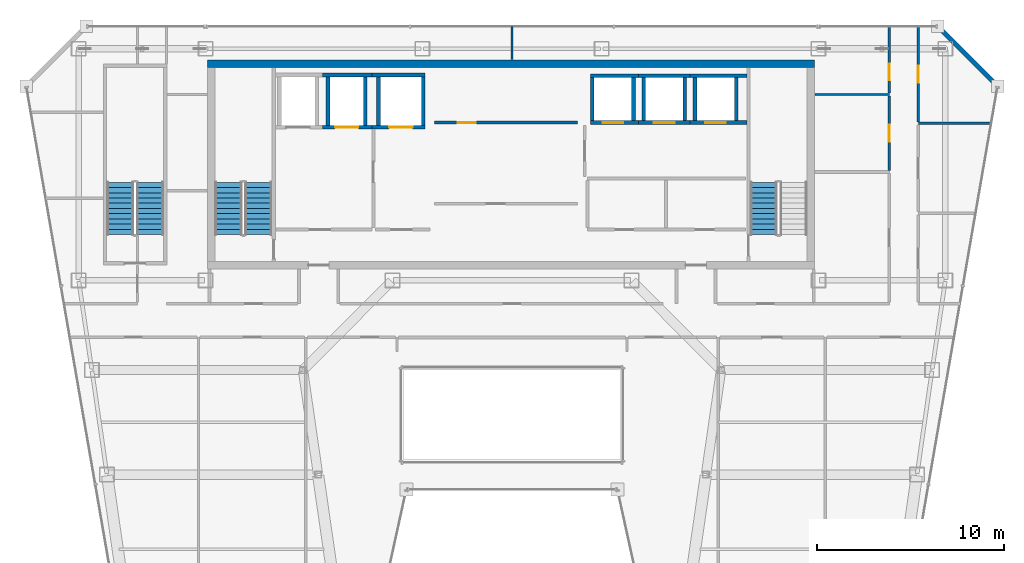
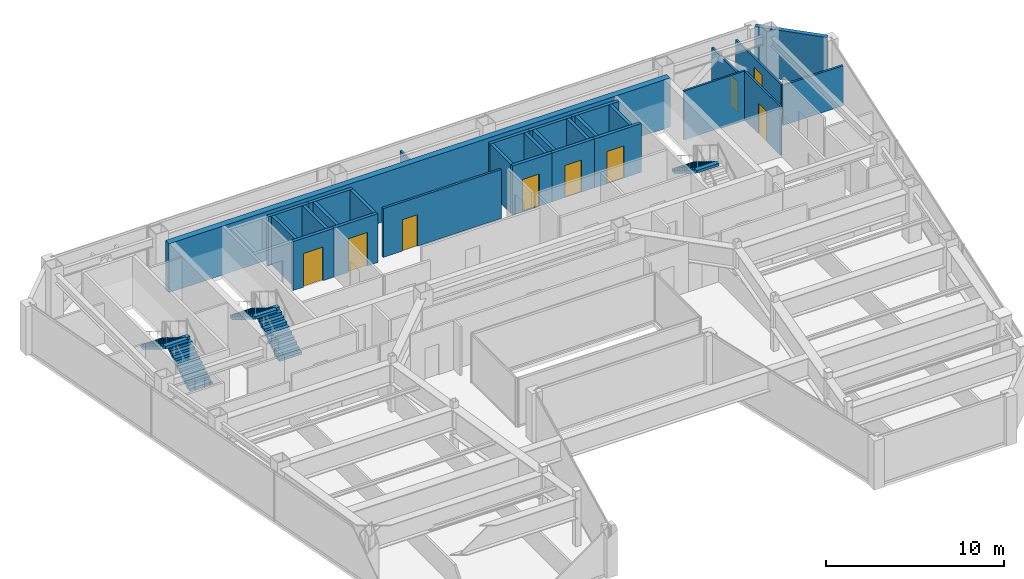
# One storey, part 30 of 35: 29 walls, 9 doors, 5 stair flights, 9 openings, 3 elements without a shape of their own.
"""IFC4 building model written with IfcOpenShell, lengths in metres."""

from ifc_helpers import new_model, si_unit, direction, frame, frame_2d, origin, place, context, subcontext, project, spatial, polyline, rectangle, outline, extrude, material, layer, layer_set, type_object, element, fill, aggregate, save


model = new_model("IFC4")

# Units and contexts
model_context = context("Model", 3, precision=1e-05, world=origin(), true_north=direction((0.0, 1.0)))
body_context = subcontext(model_context, "Body", "Model", "MODEL_VIEW")
ifc_project = project(units=[si_unit("LENGTHUNIT", "METRE"), si_unit("AREAUNIT", "SQUARE_METRE"), si_unit("VOLUMEUNIT", "CUBIC_METRE"), si_unit("PLANEANGLEUNIT", "RADIAN"), si_unit("MASSUNIT", "GRAM", prefix="KILO")], contexts=[model_context])

# Site, building, storey
site_placement = place(None, origin())
site = spatial("IfcSite", under=ifc_project, at=site_placement, CompositionType="ELEMENT")
building_placement = place(site_placement, origin())
building = spatial("IfcBuilding", under=site, at=building_placement, Name="Saevonmaru Cultural Tower", CompositionType="ELEMENT")
storey_placement = place(building_placement, frame((0.0, 0.0, 249.60009765625)))
storey = spatial("IfcBuildingStorey", under=building, at=storey_placement, Name="L58", CompositionType="ELEMENT", Elevation=249.60009765625)

# Wall
ifc_material_1 = material(Name="Concrete C50/60", Category="concrete")
ifc_layer_1 = layer(ifc_material_1, 0.39990234375, Name="Concrete C50/60")
ifc_layer_set_1 = layer_set([ifc_layer_1], Name="Concrete C50/60")
wall_type_1 = type_object("IfcWallType", Name="WL-CORE-400", PredefinedType="SHEAR", material=ifc_layer_set_1)
wall_1_placement = place(storey_placement, frame((13.699951171875, 54.0, 0.0), z_axis=(0.0, 0.0, 1.0), x_axis=(1.0, 0.0, 0.0)))
element("IfcWall", 1, at=wall_1_placement, inside=storey, type_object=wall_type_1, Name="L58 Tower RC core shear wall N", PredefinedType="SHEAR", context=body_context, shape_type="SweptSolid", body=[
    extrude(rectangle(XDim=32.5, YDim=0.39990234375, at=frame_2d((16.25, 0.0))), origin(), (0.0, 0.0, 1.0), 3.349853515625),
])

# Wall, opening, door
ifc_material_2 = material(Name="Gypsum Fireboard Partition", Category="gypsum")
ifc_layer_2 = layer(ifc_material_2, 0.14990234375, Name="Gypsum Fireboard Partition")
ifc_layer_set_2 = layer_set([ifc_layer_2], Name="Gypsum Fireboard Partition")
wall_type_2 = type_object("IfcWallType", Name="WL-CORE-PART-150", PredefinedType="PARTITIONING", material=ifc_layer_set_2)
wall_2_placement = place(storey_placement, frame((25.85009765625, 50.85009765625, 0.0), z_axis=(0.0, 0.0, 1.0), x_axis=(1.0, 0.0, 0.0)))
wall_2 = element("IfcWall", 2, at=wall_2_placement, inside=storey, type_object=wall_type_2, Name="L58 Reclaimed Core Room South Wall", PredefinedType="PARTITIONING", context=body_context, shape_type="SweptSolid", body=[
    extrude(rectangle(XDim=7.64990234375, YDim=0.14990234375, at=frame_2d((3.824951171875, 0.0))), origin(), (0.0, 0.0, 1.0), 3.349853515625),
])
opening_1_placement = place(wall_2_placement, frame((1.25, 0.0, 0.0)))
opening_1 = element("IfcOpeningElement", 3, at=opening_1_placement, cuts=wall_2, Name="Opening FD-4", PredefinedType="OPENING", context=body_context, shape_type="SweptSolid", body=[
    extrude(rectangle(XDim=0.949951171875, YDim=2.14990234375, at=frame_2d((0.47509765625, 1.074951171875))), frame((0.0, 0.0849609375, 0.0), z_axis=(0.0, -1.0, 0.0), x_axis=(1.0, 0.0, 0.0)), (0.0, 0.0, 1.0), 0.169921875),
])
ifc_material_3 = material(Name="Satin Bronze Anodised Aluminium", Category="aluminium")
door_type_1 = type_object("IfcDoorType", Name="DR-FD60-950", OperationType="SINGLE_SWING_LEFT", PredefinedType="DOOR", material=ifc_material_3)
door_1_placement = place(opening_1_placement, origin())
door_1 = element("IfcDoor", 4, at=door_1_placement, inside=storey, type_object=door_type_1, Name="L58 Reclaimed Archive Vault Door", OperationType="SINGLE_SWING_LEFT", OverallHeight=2.14990234375, OverallWidth=0.949951171875, PredefinedType="DOOR", context=body_context, shape_type="SweptSolid", body=[
    extrude(rectangle(XDim=0.949951171875, YDim=2.14990234375, at=frame_2d((0.47509765625, 1.074951171875))), frame((0.0, 0.02490234375, 0.0), z_axis=(0.0, -1.0, 0.0), x_axis=(1.0, 0.0, 0.0)), (0.0, 0.0, 1.0), 0.050048828125),
])
fill(opening_1, door_1)

# Walls
ifc_material_4 = material(Name="Granite-Clad Precast Concrete C40/50", Category="masonry")
ifc_layer_3 = layer(ifc_material_4, 0.260009765625, Name="Granite-Clad Precast Concrete C40/50")
ifc_layer_set_3 = layer_set([ifc_layer_3], Name="Granite-Clad Precast Concrete C40/50")
wall_type_3 = type_object("IfcWallType", Name="WL-EXT-SPANDREL-260", PredefinedType="STANDARD", material=ifc_layer_set_3)
wall_3_placement = place(storey_placement, frame((55.886962890625, 52.9130859375, 0.0), z_axis=(0.0, 0.0, 1.0), x_axis=(-0.707106781187, 0.707106781187, 0.0)))
element("IfcWall", 5, at=wall_3_placement, inside=storey, type_object=wall_type_3, Name="L58 Chamfer Corner Spandrel Wall E9", PredefinedType="STANDARD", context=body_context, shape_type="SweptSolid", body=[
    extrude(rectangle(XDim=4.205810546875, YDim=0.260009765625, at=frame_2d((2.10302734375, 0.0))), origin(), (0.0, 0.0, 1.0), 3.349853515625),
])
ifc_layer_4 = layer(ifc_material_2, 0.1201171875, Name="Gypsum Fireboard Partition")
ifc_layer_set_4 = layer_set([ifc_layer_4], Name="Gypsum Fireboard Partition")
wall_type_4 = type_object("IfcWallType", Name="WL-PART-GYP-120", PredefinedType="PARTITIONING", material=ifc_layer_set_4)
wall_4_placement = place(storey_placement, frame((46.219970703125, 52.35009765625, 0.0), z_axis=(0.0, 0.0, 1.0), x_axis=(1.0, 0.0, 0.0)))
element("IfcWall", 6, at=wall_4_placement, inside=storey, type_object=wall_type_4, Name="L58 North-East Panorama South Wall", PredefinedType="PARTITIONING", context=body_context, shape_type="SweptSolid", body=[
    extrude(rectangle(XDim=3.97998046875, YDim=0.1201171875, at=frame_2d((1.989990234375, 0.0))), origin(), (0.0, 0.0, 1.0), 3.349853515625),
])
wall_5_placement = place(storey_placement, frame((30.0, 54.219970703125, 0.0), z_axis=(0.0, 0.0, 1.0), x_axis=(0.0, 1.0, 0.0)))
element("IfcWall", 7, at=wall_5_placement, inside=storey, type_object=wall_type_4, Name="L58 North Panorama Center Split", PredefinedType="PARTITIONING", context=body_context, shape_type="SweptSolid", body=[
    extrude(rectangle(XDim=1.775146484375, YDim=0.1201171875, at=frame_2d((0.8876953125, 0.0))), origin(), (0.0, 0.0, 1.0), 2.73486328125),
])

# Wall, opening, door
wall_6_placement = place(storey_placement, frame((50.199951171875, 48.2900390625, 0.0), z_axis=(0.0, 0.0, 1.0), x_axis=(0.0, 1.0, 0.0)))
wall_6 = element("IfcWall", 8, at=wall_6_placement, inside=storey, type_object=wall_type_4, Name="L58 Urban Design Meeting Room Corridor Wall", PredefinedType="PARTITIONING", context=body_context, shape_type="SweptSolid", body=[
    extrude(rectangle(XDim=3.97998046875, YDim=0.1201171875, at=frame_2d((1.989990234375, 0.0))), origin(), (0.0, 0.0, 1.0), 3.349853515625),
])
opening_2_placement = place(wall_6_placement, frame((1.5400390625, 0.0, 0.0)))
opening_2 = element("IfcOpeningElement", 9, at=opening_2_placement, cuts=wall_6, Name="Opening ID-2", PredefinedType="OPENING", context=body_context, shape_type="SweptSolid", body=[
    extrude(rectangle(XDim=0.89990234375, YDim=2.10009765625, at=frame_2d((0.449951171875, 1.050048828125))), frame((0.0, 0.070068359375, 0.0), z_axis=(0.0, -1.0, 0.0), x_axis=(1.0, 0.0, 0.0)), (0.0, 0.0, 1.0), 0.14013671875),
])
ifc_material_5 = material(Name="Acoustic Stained Oak Timber", Category="wood")
door_type_2 = type_object("IfcDoorType", Name="DR-INT-900", OperationType="SINGLE_SWING_RIGHT", PredefinedType="DOOR", material=ifc_material_5)
door_2_placement = place(opening_2_placement, origin())
door_2 = element("IfcDoor", 10, at=door_2_placement, inside=storey, type_object=door_type_2, Name="L58 Urban Design Meeting Room Door", OperationType="SINGLE_SWING_LEFT", OverallHeight=2.10009765625, OverallWidth=0.89990234375, PredefinedType="DOOR", context=body_context, shape_type="SweptSolid", body=[
    extrude(rectangle(XDim=0.89990234375, YDim=2.10009765625, at=frame_2d((0.449951171875, 1.050048828125))), frame((0.0, 0.02490234375, 0.0), z_axis=(0.0, -1.0, 0.0), x_axis=(1.0, 0.0, 0.0)), (0.0, 0.0, 1.0), 0.050048828125),
])
fill(opening_2, door_2)

wall_7_placement = place(storey_placement, frame((50.199951171875, 52.429931640625, 0.0), z_axis=(0.0, 0.0, 1.0), x_axis=(0.0, 1.0, 0.0)))
wall_7 = element("IfcWall", 11, at=wall_7_placement, inside=storey, type_object=wall_type_4, Name="L58 Curatorial Board Meeting Room Corridor Wall", PredefinedType="PARTITIONING", context=body_context, shape_type="SweptSolid", body=[
    extrude(rectangle(XDim=3.565185546875, YDim=0.1201171875, at=frame_2d((1.78271484375, 0.0))), origin(), (0.0, 0.0, 1.0), 2.73486328125),
])
opening_3_placement = place(wall_7_placement, frame((0.672119140625, 0.0, 0.0)))
opening_3 = element("IfcOpeningElement", 12, at=opening_3_placement, cuts=wall_7, Name="Opening ID-2", PredefinedType="OPENING", context=body_context, shape_type="SweptSolid", body=[
    extrude(rectangle(XDim=0.89990234375, YDim=2.10009765625, at=frame_2d((0.449951171875, 1.050048828125))), frame((0.0, 0.070068359375, 0.0), z_axis=(0.0, -1.0, 0.0), x_axis=(1.0, 0.0, 0.0)), (0.0, 0.0, 1.0), 0.14013671875),
])
door_3_placement = place(opening_3_placement, origin())
door_3 = element("IfcDoor", 13, at=door_3_placement, inside=storey, type_object=door_type_2, Name="L58 Curatorial Board Meeting Room Door", OperationType="SINGLE_SWING_RIGHT", OverallHeight=2.10009765625, OverallWidth=0.89990234375, PredefinedType="DOOR", context=body_context, shape_type="SweptSolid", body=[
    extrude(rectangle(XDim=0.89990234375, YDim=2.10009765625, at=frame_2d((0.449951171875, 1.050048828125))), frame((0.0, 0.02490234375, 0.0), z_axis=(0.0, -1.0, 0.0), x_axis=(1.0, 0.0, 0.0)), (0.0, 0.0, 1.0), 0.050048828125),
])
fill(opening_3, door_3)

wall_8_placement = place(storey_placement, frame((51.75, 50.887451171875, 0.0), z_axis=(0.0, 0.0, 1.0), x_axis=(0.0, 1.0, 0.0)))
wall_8 = element("IfcWall", 14, at=wall_8_placement, inside=storey, type_object=wall_type_4, Name="L58 Translation Research Office Corridor Wall", PredefinedType="PARTITIONING", context=body_context, shape_type="SweptSolid", body=[
    extrude(rectangle(XDim=5.107666015625, YDim=0.1201171875, at=frame_2d((2.5537109375, 0.0))), origin(), (0.0, 0.0, 1.0), 2.73486328125),
])
opening_4_placement = place(wall_8_placement, frame((2.10400390625, 0.0, 0.0)))
opening_4 = element("IfcOpeningElement", 15, at=opening_4_placement, cuts=wall_8, Name="Opening ID-2", PredefinedType="OPENING", context=body_context, shape_type="SweptSolid", body=[
    extrude(rectangle(XDim=0.89990234375, YDim=2.10009765625, at=frame_2d((0.449951171875, 1.050048828125))), frame((0.0, 0.070068359375, 0.0), z_axis=(0.0, -1.0, 0.0), x_axis=(1.0, 0.0, 0.0)), (0.0, 0.0, 1.0), 0.14013671875),
])
door_4_placement = place(opening_4_placement, origin())
door_4 = element("IfcDoor", 16, at=door_4_placement, inside=storey, type_object=door_type_2, Name="L58 Translation Research Office Door", OperationType="SINGLE_SWING_RIGHT", OverallHeight=2.10009765625, OverallWidth=0.89990234375, PredefinedType="DOOR", context=body_context, shape_type="SweptSolid", body=[
    extrude(rectangle(XDim=0.89990234375, YDim=2.10009765625, at=frame_2d((0.449951171875, 1.050048828125))), frame((0.0, 0.02490234375, 0.0), z_axis=(0.0, -1.0, 0.0), x_axis=(1.0, 0.0, 0.0)), (0.0, 0.0, 1.0), 0.050048828125),
])
fill(opening_4, door_4)

# Wall
ifc_layer_5 = layer(ifc_material_2, 0.135009765625, Name="Gypsum Fireboard Partition")
ifc_layer_set_5 = layer_set([ifc_layer_5], Name="Gypsum Fireboard Partition")
wall_type_5 = type_object("IfcWallType", Name="WL-PART-GYP-135", PredefinedType="PARTITIONING", material=ifc_layer_set_5)
wall_9_placement = place(storey_placement, frame((51.75, 50.800048828125, 0.0), z_axis=(0.0, 0.0, 1.0), x_axis=(1.0, 0.0, 0.0)))
element("IfcWall", 17, at=wall_9_placement, inside=storey, type_object=wall_type_5, Name="L58 NE Studio Divider 2", PredefinedType="PARTITIONING", context=body_context, shape_type="SweptSolid", body=[
    extrude(rectangle(XDim=3.898193359375, YDim=0.135009765625, at=frame_2d((1.94921875, 0.0))), origin(), (0.0, 0.0, 1.0), 2.746826171875),
])

# Wall, opening, door
ifc_material_6 = material(Name="Concrete C40/50", Category="concrete")
ifc_layer_6 = layer(ifc_material_6, 0.199951171875, Name="Concrete C40/50")
ifc_layer_set_6 = layer_set([ifc_layer_6], Name="Concrete C40/50")
wall_type_6 = type_object("IfcWallType", Name="WL-SHAFT-200", PredefinedType="SHEAR", material=ifc_layer_set_6)
wall_10_placement = place(storey_placement, frame((19.85009765625, 50.60009765625, 0.0), z_axis=(0.0, 0.0, 1.0), x_axis=(1.0, 0.0, 0.0)))
wall_10 = element("IfcWall", 18, at=wall_10_placement, inside=storey, type_object=wall_type_6, Name="L58 Lift FFL-2 Hoistway Wall S", PredefinedType="SHEAR", context=body_context, shape_type="SweptSolid", body=[
    extrude(rectangle(XDim=2.64990234375, YDim=0.199951171875, at=frame_2d((1.324951171875, 0.0))), origin(), (0.0, 0.0, 1.0), 3.349853515625),
])
opening_5_placement = place(wall_10_placement, frame((0.675048828125, 0.0, 0.0)))
opening_5 = element("IfcOpeningElement", 19, at=opening_5_placement, cuts=wall_10, Name="Opening LD-2", PredefinedType="OPENING", context=body_context, shape_type="SweptSolid", body=[
    extrude(rectangle(XDim=1.25, YDim=2.300048828125, at=frame_2d((0.625, 1.14990234375))), frame((0.0, 0.10986328125, 0.0), z_axis=(0.0, -1.0, 0.0), x_axis=(1.0, 0.0, 0.0)), (0.0, 0.0, 1.0), 0.219970703125),
])
ifc_material_7 = material(Name="Stainless Steel 316", Category="steel")
door_type_3 = type_object("IfcDoorType", Name="DR-LIFT-1250", OperationType="SLIDING_TO_LEFT", PredefinedType="DOOR", material=ifc_material_7)
door_5_placement = place(opening_5_placement, origin())
door_5 = element("IfcDoor", 20, at=door_5_placement, inside=storey, type_object=door_type_3, Name="L58 Lift FFL-2 Sliding Landing Door", OperationType="SLIDING_TO_LEFT", OverallHeight=2.300048828125, OverallWidth=1.25, PredefinedType="DOOR", context=body_context, shape_type="SweptSolid", body=[
    extrude(rectangle(XDim=1.25, YDim=2.300048828125, at=frame_2d((0.625, 1.14990234375))), frame((0.0, 0.02490234375, 0.0), z_axis=(0.0, -1.0, 0.0), x_axis=(1.0, 0.0, 0.0)), (0.0, 0.0, 1.0), 0.050048828125),
])
fill(opening_5, door_5)

# Walls
wall_11_placement = place(storey_placement, frame((19.85009765625, 53.39990234375, 0.0), z_axis=(0.0, 0.0, 1.0), x_axis=(1.0, 0.0, 0.0)))
element("IfcWall", 21, at=wall_11_placement, inside=storey, type_object=wall_type_6, Name="L58 Lift FFL-2 Hoistway Wall N", PredefinedType="SHEAR", context=body_context, shape_type="SweptSolid", body=[
    extrude(rectangle(XDim=2.64990234375, YDim=0.199951171875, at=frame_2d((1.324951171875, 0.0))), origin(), (0.0, 0.0, 1.0), 3.349853515625),
])
for number, where, z_axis, x_axis, name in (
    (22, (20.14990234375, 50.699951171875, 0.0), (0.0, 0.0, 1.0), (0.0, 1.0, 0.0), "L58 Lift FFL-2 Hoistway Wall W"),
    (23, (22.14990234375, 50.699951171875, 0.0), (0.0, 0.0, 1.0), (0.0, 1.0, 0.0), "L58 Lift FFL-2 Hoistway Wall E"),
):
    element("IfcWall", number, at=place(storey_placement, frame(where, z_axis=z_axis, x_axis=x_axis)), inside=storey, type_object=wall_type_6, Name=name, PredefinedType="SHEAR", context=body_context, shape_type="SweptSolid", body=[
        extrude(rectangle(XDim=2.60009765625, YDim=0.199951171875, at=frame_2d((1.300048828125, 0.0))), origin(), (0.0, 0.0, 1.0), 3.349853515625),
    ])

# Wall, opening, door
wall_12_placement = place(storey_placement, frame((22.5, 50.60009765625, 0.0), z_axis=(0.0, 0.0, 1.0), x_axis=(1.0, 0.0, 0.0)))
wall_12 = element("IfcWall", 24, at=wall_12_placement, inside=storey, type_object=wall_type_6, Name="L58 Lift GL-1 Hoistway Wall S", PredefinedType="SHEAR", context=body_context, shape_type="SweptSolid", body=[
    extrude(rectangle(XDim=2.85009765625, YDim=0.199951171875, at=frame_2d((1.425048828125, 0.0))), origin(), (0.0, 0.0, 1.0), 3.349853515625),
])
opening_6_placement = place(wall_12_placement, frame((0.925048828125, 0.0, 0.0)))
opening_6 = element("IfcOpeningElement", 25, at=opening_6_placement, cuts=wall_12, Name="Opening LD-2", PredefinedType="OPENING", context=body_context, shape_type="SweptSolid", body=[
    extrude(rectangle(XDim=1.25, YDim=2.300048828125, at=frame_2d((0.625, 1.14990234375))), frame((0.0, 0.10986328125, 0.0), z_axis=(0.0, -1.0, 0.0), x_axis=(1.0, 0.0, 0.0)), (0.0, 0.0, 1.0), 0.219970703125),
])
door_6_placement = place(opening_6_placement, origin())
door_6 = element("IfcDoor", 26, at=door_6_placement, inside=storey, type_object=door_type_3, Name="L58 Lift GL-1 Sliding Landing Door", OperationType="SLIDING_TO_LEFT", OverallHeight=2.300048828125, OverallWidth=1.25, PredefinedType="DOOR", context=body_context, shape_type="SweptSolid", body=[
    extrude(rectangle(XDim=1.25, YDim=2.300048828125, at=frame_2d((0.625, 1.14990234375))), frame((0.0, 0.02490234375, 0.0), z_axis=(0.0, -1.0, 0.0), x_axis=(1.0, 0.0, 0.0)), (0.0, 0.0, 1.0), 0.050048828125),
])
fill(opening_6, door_6)

# Walls
wall_13_placement = place(storey_placement, frame((22.5, 53.39990234375, 0.0), z_axis=(0.0, 0.0, 1.0), x_axis=(1.0, 0.0, 0.0)))
element("IfcWall", 27, at=wall_13_placement, inside=storey, type_object=wall_type_6, Name="L58 Lift GL-1 Hoistway Wall N", PredefinedType="SHEAR", context=body_context, shape_type="SweptSolid", body=[
    extrude(rectangle(XDim=2.85009765625, YDim=0.199951171875, at=frame_2d((1.425048828125, 0.0))), origin(), (0.0, 0.0, 1.0), 3.349853515625),
])
for number, where, z_axis, x_axis, name in (
    (28, (22.85009765625, 50.699951171875, 0.0), (0.0, 0.0, 1.0), (0.0, 1.0, 0.0), "L58 Lift GL-1 Hoistway Wall W"),
    (29, (25.25, 50.699951171875, 0.0), (0.0, 0.0, 1.0), (0.0, 1.0, 0.0), "L58 Lift GL-1 Hoistway Wall E"),
):
    element("IfcWall", number, at=place(storey_placement, frame(where, z_axis=z_axis, x_axis=x_axis)), inside=storey, type_object=wall_type_6, Name=name, PredefinedType="SHEAR", context=body_context, shape_type="SweptSolid", body=[
        extrude(rectangle(XDim=2.60009765625, YDim=0.199951171875, at=frame_2d((1.300048828125, 0.0))), origin(), (0.0, 0.0, 1.0), 3.349853515625),
    ])

# Wall, opening, door
wall_14_placement = place(storey_placement, frame((34.199951171875, 50.85009765625, 0.0), z_axis=(0.0, 0.0, 1.0), x_axis=(1.0, 0.0, 0.0)))
wall_14 = element("IfcWall", 30, at=wall_14_placement, inside=storey, type_object=wall_type_6, Name="L58 Lift PL-H1 Hoistway Wall S", PredefinedType="SHEAR", context=body_context, shape_type="SweptSolid", body=[
    extrude(rectangle(XDim=2.574951171875, YDim=0.199951171875, at=frame_2d((1.28759765625, 0.0))), origin(), (0.0, 0.0, 1.0), 3.349853515625),
])
opening_7_placement = place(wall_14_placement, frame((0.64990234375, 0.0, 0.0)))
opening_7 = element("IfcOpeningElement", 31, at=opening_7_placement, cuts=wall_14, Name="Opening LD-1", PredefinedType="OPENING", context=body_context, shape_type="SweptSolid", body=[
    extrude(rectangle(XDim=1.10009765625, YDim=2.199951171875, at=frame_2d((0.550048828125, 1.10009765625))), frame((0.0, 0.10986328125, 0.0), z_axis=(0.0, -1.0, 0.0), x_axis=(1.0, 0.0, 0.0)), (0.0, 0.0, 1.0), 0.219970703125),
])
ifc_material_8 = material(Name="Satin Bronze Stainless Steel", Category="steel")
door_type_4 = type_object("IfcDoorType", Name="DR-LIFT-1100", OperationType="SLIDING_TO_LEFT", PredefinedType="DOOR", material=ifc_material_8)
door_7_placement = place(opening_7_placement, origin())
door_7 = element("IfcDoor", 32, at=door_7_placement, inside=storey, type_object=door_type_4, Name="L58 Lift PL-H1 Sliding Landing Door", OperationType="SLIDING_TO_LEFT", OverallHeight=2.199951171875, OverallWidth=1.10009765625, PredefinedType="DOOR", context=body_context, shape_type="SweptSolid", body=[
    extrude(rectangle(XDim=1.10009765625, YDim=2.199951171875, at=frame_2d((0.550048828125, 1.10009765625))), frame((0.0, 0.02490234375, 0.0), z_axis=(0.0, -1.0, 0.0), x_axis=(1.0, 0.0, 0.0)), (0.0, 0.0, 1.0), 0.050048828125),
])
fill(opening_7, door_7)

# Walls
wall_15_placement = place(storey_placement, frame((34.199951171875, 53.35009765625, 0.0), z_axis=(0.0, 0.0, 1.0), x_axis=(1.0, 0.0, 0.0)))
element("IfcWall", 33, at=wall_15_placement, inside=storey, type_object=wall_type_6, Name="L58 Lift PL-H1 Hoistway Wall N", PredefinedType="SHEAR", context=body_context, shape_type="SweptSolid", body=[
    extrude(rectangle(XDim=2.574951171875, YDim=0.199951171875, at=frame_2d((1.28759765625, 0.0))), origin(), (0.0, 0.0, 1.0), 3.349853515625),
])
for number, where, z_axis, x_axis, name in (
    (34, (34.300048828125, 50.949951171875, 0.0), (0.0, 0.0, 1.0), (0.0, 1.0, 0.0), "L58 Lift PL-H1 Hoistway Wall W"),
    (35, (36.5, 50.949951171875, 0.0), (0.0, 0.0, 1.0), (0.0, 1.0, 0.0), "L58 Lift PL-H1 Hoistway Wall E"),
):
    element("IfcWall", number, at=place(storey_placement, frame(where, z_axis=z_axis, x_axis=x_axis)), inside=storey, type_object=wall_type_6, Name=name, PredefinedType="SHEAR", context=body_context, shape_type="SweptSolid", body=[
        extrude(rectangle(XDim=2.300048828125, YDim=0.199951171875, at=frame_2d((1.14990234375, 0.0))), origin(), (0.0, 0.0, 1.0), 3.349853515625),
    ])

# Wall, opening, door
wall_16_placement = place(storey_placement, frame((36.77490234375, 50.85009765625, 0.0), z_axis=(0.0, 0.0, 1.0), x_axis=(1.0, 0.0, 0.0)))
wall_16 = element("IfcWall", 36, at=wall_16_placement, inside=storey, type_object=wall_type_6, Name="L58 Lift PL-H2 Hoistway Wall S", PredefinedType="SHEAR", context=body_context, shape_type="SweptSolid", body=[
    extrude(rectangle(XDim=2.75, YDim=0.199951171875, at=frame_2d((1.375, 0.0))), origin(), (0.0, 0.0, 1.0), 3.349853515625),
])
opening_8_placement = place(wall_16_placement, frame((0.824951171875, 0.0, 0.0)))
opening_8 = element("IfcOpeningElement", 37, at=opening_8_placement, cuts=wall_16, Name="Opening LD-1", PredefinedType="OPENING", context=body_context, shape_type="SweptSolid", body=[
    extrude(rectangle(XDim=1.10009765625, YDim=2.199951171875, at=frame_2d((0.550048828125, 1.10009765625))), frame((0.0, 0.10986328125, 0.0), z_axis=(0.0, -1.0, 0.0), x_axis=(1.0, 0.0, 0.0)), (0.0, 0.0, 1.0), 0.219970703125),
])
door_8_placement = place(opening_8_placement, origin())
door_8 = element("IfcDoor", 38, at=door_8_placement, inside=storey, type_object=door_type_4, Name="L58 Lift PL-H2 Sliding Landing Door", OperationType="SLIDING_TO_LEFT", OverallHeight=2.199951171875, OverallWidth=1.10009765625, PredefinedType="DOOR", context=body_context, shape_type="SweptSolid", body=[
    extrude(rectangle(XDim=1.10009765625, YDim=2.199951171875, at=frame_2d((0.550048828125, 1.10009765625))), frame((0.0, 0.02490234375, 0.0), z_axis=(0.0, -1.0, 0.0), x_axis=(1.0, 0.0, 0.0)), (0.0, 0.0, 1.0), 0.050048828125),
])
fill(opening_8, door_8)

# Walls
wall_17_placement = place(storey_placement, frame((36.77490234375, 53.35009765625, 0.0), z_axis=(0.0, 0.0, 1.0), x_axis=(1.0, 0.0, 0.0)))
element("IfcWall", 39, at=wall_17_placement, inside=storey, type_object=wall_type_6, Name="L58 Lift PL-H2 Hoistway Wall N", PredefinedType="SHEAR", context=body_context, shape_type="SweptSolid", body=[
    extrude(rectangle(XDim=2.75, YDim=0.199951171875, at=frame_2d((1.375, 0.0))), origin(), (0.0, 0.0, 1.0), 3.349853515625),
])
for number, where, z_axis, x_axis, name in (
    (40, (37.050048828125, 50.949951171875, 0.0), (0.0, 0.0, 1.0), (0.0, 1.0, 0.0), "L58 Lift PL-H2 Hoistway Wall W"),
    (41, (39.25, 50.949951171875, 0.0), (0.0, 0.0, 1.0), (0.0, 1.0, 0.0), "L58 Lift PL-H2 Hoistway Wall E"),
):
    element("IfcWall", number, at=place(storey_placement, frame(where, z_axis=z_axis, x_axis=x_axis)), inside=storey, type_object=wall_type_6, Name=name, PredefinedType="SHEAR", context=body_context, shape_type="SweptSolid", body=[
        extrude(rectangle(XDim=2.300048828125, YDim=0.199951171875, at=frame_2d((1.14990234375, 0.0))), origin(), (0.0, 0.0, 1.0), 3.349853515625),
    ])

# Wall, opening, door
wall_18_placement = place(storey_placement, frame((39.52490234375, 50.85009765625, 0.0), z_axis=(0.0, 0.0, 1.0), x_axis=(1.0, 0.0, 0.0)))
wall_18 = element("IfcWall", 42, at=wall_18_placement, inside=storey, type_object=wall_type_6, Name="L58 Lift PL-H3 Hoistway Wall S", PredefinedType="SHEAR", context=body_context, shape_type="SweptSolid", body=[
    extrude(rectangle(XDim=3.045166015625, YDim=0.199951171875, at=frame_2d((1.5224609375, 0.0))), origin(), (0.0, 0.0, 1.0), 3.349853515625),
])
opening_9_placement = place(wall_18_placement, frame((0.824951171875, 0.0, 0.0)))
opening_9 = element("IfcOpeningElement", 43, at=opening_9_placement, cuts=wall_18, Name="Opening LD-1", PredefinedType="OPENING", context=body_context, shape_type="SweptSolid", body=[
    extrude(rectangle(XDim=1.10009765625, YDim=2.199951171875, at=frame_2d((0.550048828125, 1.10009765625))), frame((0.0, 0.10986328125, 0.0), z_axis=(0.0, -1.0, 0.0), x_axis=(1.0, 0.0, 0.0)), (0.0, 0.0, 1.0), 0.219970703125),
])
door_9_placement = place(opening_9_placement, origin())
door_9 = element("IfcDoor", 44, at=door_9_placement, inside=storey, type_object=door_type_4, Name="L58 Lift PL-H3 Sliding Landing Door", OperationType="SLIDING_TO_LEFT", OverallHeight=2.199951171875, OverallWidth=1.10009765625, PredefinedType="DOOR", context=body_context, shape_type="SweptSolid", body=[
    extrude(rectangle(XDim=1.10009765625, YDim=2.199951171875, at=frame_2d((0.550048828125, 1.10009765625))), frame((0.0, 0.02490234375, 0.0), z_axis=(0.0, -1.0, 0.0), x_axis=(1.0, 0.0, 0.0)), (0.0, 0.0, 1.0), 0.050048828125),
])
fill(opening_9, door_9)

# Walls
wall_19_placement = place(storey_placement, frame((39.52490234375, 53.35009765625, 0.0), z_axis=(0.0, 0.0, 1.0), x_axis=(1.0, 0.0, 0.0)))
element("IfcWall", 45, at=wall_19_placement, inside=storey, type_object=wall_type_6, Name="L58 Lift PL-H3 Hoistway Wall N", PredefinedType="SHEAR", context=body_context, shape_type="SweptSolid", body=[
    extrude(rectangle(XDim=3.045166015625, YDim=0.199951171875, at=frame_2d((1.5224609375, 0.0))), origin(), (0.0, 0.0, 1.0), 3.349853515625),
])
for number, where, z_axis, x_axis, name in (
    (46, (39.800048828125, 50.949951171875, 0.0), (0.0, 0.0, 1.0), (0.0, 1.0, 0.0), "L58 Lift PL-H3 Hoistway Wall W"),
    (47, (42.0, 50.949951171875, 0.0), (0.0, 0.0, 1.0), (0.0, 1.0, 0.0), "L58 Lift PL-H3 Hoistway Wall E"),
):
    element("IfcWall", number, at=place(storey_placement, frame(where, z_axis=z_axis, x_axis=x_axis)), inside=storey, type_object=wall_type_6, Name=name, PredefinedType="SHEAR", context=body_context, shape_type="SweptSolid", body=[
        extrude(rectangle(XDim=2.300048828125, YDim=0.199951171875, at=frame_2d((1.14990234375, 0.0))), origin(), (0.0, 0.0, 1.0), 3.349853515625),
    ])

# Stair, stair flights
stair_type = type_object("IfcStairType", Name="STR-DOGLEG-RC", PredefinedType="HALF_TURN_STAIR", material=ifc_material_6)
stair_1_placement = place(storey_placement, origin())
stair_1 = element("IfcStair", 48, at=stair_1_placement, inside=storey, type_object=stair_type, Name="L58 Protected exit stair ST-1", PredefinedType="HALF_TURN_STAIR")
ifc_material_9 = material(Name="Precast concrete C40/50", Category="concrete")
stair_flight_type = type_object("IfcStairFlightType", Name="STF-PRECAST-180", PredefinedType="STRAIGHT", material=ifc_material_9)
stair_flight_1_placement = place(storey_placement, frame((16.425048828125, 44.85009765625, 0.0), z_axis=(0.0, 0.0, 1.0), x_axis=(0.0, 1.0, 0.0)))
stair_flight_1 = element("IfcStairFlight", 49, at=stair_flight_1_placement, type_object=stair_flight_type, Name="ST-1-L58 flight 1", NumberOfRisers=11, NumberOfTreads=10, PredefinedType="STRAIGHT", RiserHeight=0.172727273, TreadLength=0.28, context=body_context, shape_type="SweptSolid", body=[
    extrude(outline(polyline([(0.0, 0.0), (0.0, 0.172607421875), (0.280029296875, 0.172607421875), (0.280029296875, 0.345458984375), (0.56005859375, 0.345458984375), (0.56005859375, 0.51806640625), (0.840087890625, 0.51806640625), (0.840087890625, 0.69091796875), (1.1201171875, 0.69091796875), (1.1201171875, 0.863525390625), (1.39990234375, 0.863525390625), (1.39990234375, 1.036376953125), (1.679931640625, 1.036376953125), (1.679931640625, 1.208984375), (1.9599609375, 1.208984375), (1.9599609375, 1.3818359375), (2.239990234375, 1.3818359375), (2.239990234375, 1.554443359375), (2.52001953125, 1.554443359375), (2.52001953125, 1.727294921875), (2.800048828125, 1.727294921875), (2.800048828125, 1.89990234375), (2.800048828125, 1.551025390625), (0.285400390625, 0.0), (0.0, 0.0)])), frame((0.0, 0.72509765625, 0.0), z_axis=(0.0, -1.0, 0.0), x_axis=(1.0, 0.0, 0.0)), (0.0, 0.0, 1.0), 1.449951171875),
])
stair_flight_2_placement = place(storey_placement, frame((14.824951171875, 47.64990234375, 1.89990234375), z_axis=(0.0, 0.0, 1.0), x_axis=(0.0, -1.0, 0.0)))
stair_flight_2 = element("IfcStairFlight", 50, at=stair_flight_2_placement, type_object=stair_flight_type, Name="ST-1-L58 flight 2", NumberOfRisers=11, NumberOfTreads=10, PredefinedType="STRAIGHT", RiserHeight=0.172727273, TreadLength=0.28, context=body_context, shape_type="SweptSolid", body=[
    extrude(outline(polyline([(0.0, 0.0), (0.0, 0.172607421875), (0.280029296875, 0.172607421875), (0.280029296875, 0.345458984375), (0.56005859375, 0.345458984375), (0.56005859375, 0.51806640625), (0.840087890625, 0.51806640625), (0.840087890625, 0.69091796875), (1.1201171875, 0.69091796875), (1.1201171875, 0.863525390625), (1.39990234375, 0.863525390625), (1.39990234375, 1.036376953125), (1.679931640625, 1.036376953125), (1.679931640625, 1.208984375), (1.9599609375, 1.208984375), (1.9599609375, 1.3818359375), (2.239990234375, 1.3818359375), (2.239990234375, 1.554443359375), (2.52001953125, 1.554443359375), (2.52001953125, 1.727294921875), (2.800048828125, 1.727294921875), (2.800048828125, 1.89990234375), (2.800048828125, 1.551025390625), (0.285400390625, 0.0), (0.0, 0.0)])), frame((0.0, 0.72509765625, 0.0), z_axis=(0.0, -1.0, 0.0), x_axis=(1.0, 0.0, 0.0)), (0.0, 0.0, 1.0), 1.449951171875),
])
aggregate(stair_1, [stair_flight_1, stair_flight_2])

# Stair, stair flight
stair_2_placement = place(storey_placement, origin())
stair_2 = element("IfcStair", 51, at=stair_2_placement, inside=storey, type_object=stair_type, Name="L58 Protected exit stair ST-2", PredefinedType="HALF_TURN_STAIR")
stair_flight_3_placement = place(storey_placement, frame((43.47509765625, 47.64990234375, 1.89990234375), z_axis=(0.0, 0.0, 1.0), x_axis=(0.0, -1.0, 0.0)))
stair_flight_3 = element("IfcStairFlight", 52, at=stair_flight_3_placement, type_object=stair_flight_type, Name="ST-2-L58 flight 2", NumberOfRisers=11, NumberOfTreads=10, PredefinedType="STRAIGHT", RiserHeight=0.172727273, TreadLength=0.28, context=body_context, shape_type="SweptSolid", body=[
    extrude(outline(polyline([(0.0, 0.0), (0.0, 0.172607421875), (0.280029296875, 0.172607421875), (0.280029296875, 0.345458984375), (0.56005859375, 0.345458984375), (0.56005859375, 0.51806640625), (0.840087890625, 0.51806640625), (0.840087890625, 0.69091796875), (1.1201171875, 0.69091796875), (1.1201171875, 0.863525390625), (1.39990234375, 0.863525390625), (1.39990234375, 1.036376953125), (1.679931640625, 1.036376953125), (1.679931640625, 1.208984375), (1.9599609375, 1.208984375), (1.9599609375, 1.3818359375), (2.239990234375, 1.3818359375), (2.239990234375, 1.554443359375), (2.52001953125, 1.554443359375), (2.52001953125, 1.727294921875), (2.800048828125, 1.727294921875), (2.800048828125, 1.89990234375), (2.800048828125, 1.551025390625), (0.285400390625, 0.0), (0.0, 0.0)])), frame((0.0, 0.72509765625, 0.0), z_axis=(0.0, -1.0, 0.0), x_axis=(1.0, 0.0, 0.0)), (0.0, 0.0, 1.0), 1.449951171875),
])
aggregate(stair_2, [stair_flight_3])

# Stair, stair flights
stair_3_placement = place(storey_placement, origin())
stair_3 = element("IfcStair", 53, at=stair_3_placement, inside=storey, type_object=stair_type, Name="L58 Protected exit stair ST-3", PredefinedType="HALF_TURN_STAIR")
stair_flight_4_placement = place(storey_placement, frame((10.625, 44.85009765625, 0.0), z_axis=(0.0, 0.0, 1.0), x_axis=(0.0, 1.0, 0.0)))
stair_flight_4 = element("IfcStairFlight", 54, at=stair_flight_4_placement, type_object=stair_flight_type, Name="ST-3-L58 flight 1", NumberOfRisers=11, NumberOfTreads=10, PredefinedType="STRAIGHT", RiserHeight=0.172727273, TreadLength=0.28, context=body_context, shape_type="SweptSolid", body=[
    extrude(outline(polyline([(0.0, 0.0), (0.0, 0.172607421875), (0.280029296875, 0.172607421875), (0.280029296875, 0.345458984375), (0.56005859375, 0.345458984375), (0.56005859375, 0.51806640625), (0.840087890625, 0.51806640625), (0.840087890625, 0.69091796875), (1.1201171875, 0.69091796875), (1.1201171875, 0.863525390625), (1.39990234375, 0.863525390625), (1.39990234375, 1.036376953125), (1.679931640625, 1.036376953125), (1.679931640625, 1.208984375), (1.9599609375, 1.208984375), (1.9599609375, 1.3818359375), (2.239990234375, 1.3818359375), (2.239990234375, 1.554443359375), (2.52001953125, 1.554443359375), (2.52001953125, 1.727294921875), (2.800048828125, 1.727294921875), (2.800048828125, 1.89990234375), (2.800048828125, 1.551025390625), (0.285400390625, 0.0), (0.0, 0.0)])), frame((0.0, 0.72509765625, 0.0), z_axis=(0.0, -1.0, 0.0), x_axis=(1.0, 0.0, 0.0)), (0.0, 0.0, 1.0), 1.449951171875),
])
stair_flight_5_placement = place(storey_placement, frame((9.02490234375, 47.64990234375, 1.89990234375), z_axis=(0.0, 0.0, 1.0), x_axis=(0.0, -1.0, 0.0)))
stair_flight_5 = element("IfcStairFlight", 55, at=stair_flight_5_placement, type_object=stair_flight_type, Name="ST-3-L58 flight 2", NumberOfRisers=11, NumberOfTreads=10, PredefinedType="STRAIGHT", RiserHeight=0.172727273, TreadLength=0.28, context=body_context, shape_type="SweptSolid", body=[
    extrude(outline(polyline([(0.0, 0.0), (0.0, 0.172607421875), (0.280029296875, 0.172607421875), (0.280029296875, 0.345458984375), (0.56005859375, 0.345458984375), (0.56005859375, 0.51806640625), (0.840087890625, 0.51806640625), (0.840087890625, 0.69091796875), (1.1201171875, 0.69091796875), (1.1201171875, 0.863525390625), (1.39990234375, 0.863525390625), (1.39990234375, 1.036376953125), (1.679931640625, 1.036376953125), (1.679931640625, 1.208984375), (1.9599609375, 1.208984375), (1.9599609375, 1.3818359375), (2.239990234375, 1.3818359375), (2.239990234375, 1.554443359375), (2.52001953125, 1.554443359375), (2.52001953125, 1.727294921875), (2.800048828125, 1.727294921875), (2.800048828125, 1.89990234375), (2.800048828125, 1.551025390625), (0.285400390625, 0.0), (0.0, 0.0)])), frame((0.0, 0.72509765625, 0.0), z_axis=(0.0, -1.0, 0.0), x_axis=(1.0, 0.0, 0.0)), (0.0, 0.0, 1.0), 1.449951171875),
])
aggregate(stair_3, [stair_flight_4, stair_flight_5])

save(model, "model.ifc")
